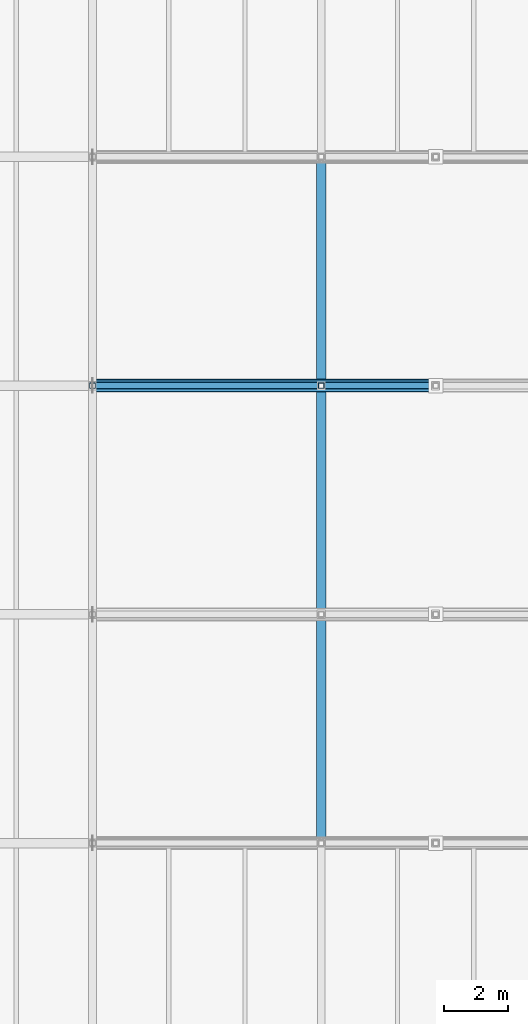
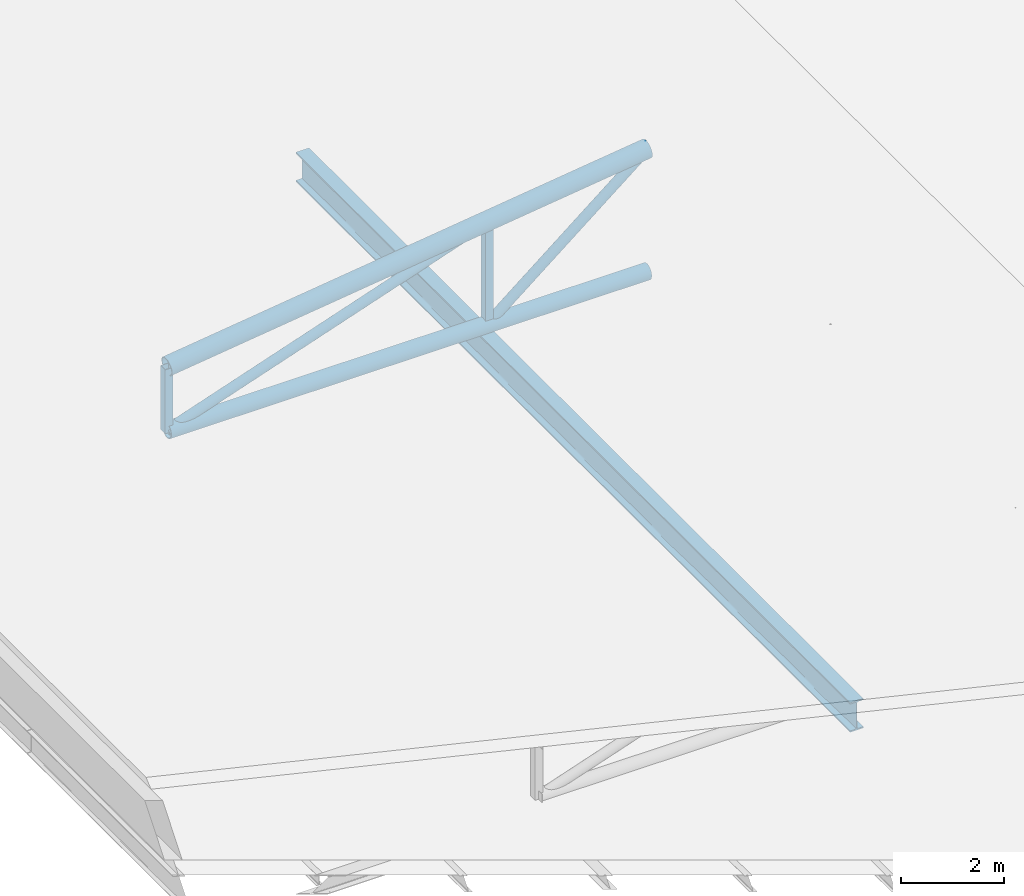
# One storey, part 32 of 91: 6 members, 1 beam.
"""IFC4 building model written with IfcOpenShell, lengths in metres."""

from ifc_helpers import new_model, si_unit, direction, frame, origin, origin_2d, place, context, subcontext, project, spatial, hollow_rectangle, hollow_circle, i_section, extrude, material, material_profile, profile_set, type_object, element, save


model = new_model("IFC4")

# Units and contexts
model_context = context("Model", 3, precision=1e-05, world=origin(), true_north=direction((0.0, 1.0)))
body_context = subcontext(model_context, "Body", "Model", "MODEL_VIEW")
ifc_project = project(units=[si_unit("LENGTHUNIT", "METRE"), si_unit("AREAUNIT", "SQUARE_METRE"), si_unit("VOLUMEUNIT", "CUBIC_METRE"), si_unit("PLANEANGLEUNIT", "RADIAN"), si_unit("MASSUNIT", "GRAM", prefix="KILO")], contexts=[model_context])

# Site, building, storey
site_placement = place(None, origin())
site = spatial("IfcSite", under=ifc_project, at=site_placement, CompositionType="ELEMENT")
building_placement = place(site_placement, origin())
building = spatial("IfcBuilding", under=site, at=building_placement, Name="Narikvali Park Central Library", CompositionType="ELEMENT")
storey_placement = place(building_placement, frame((0.0, 0.0, 14.39990234375)))
storey = spatial("IfcBuildingStorey", under=building, at=storey_placement, Name="L03", CompositionType="ELEMENT", Elevation=14.39990234375)

# Members
ifc_material = material(Name="Steel S355", Category="steel")
ifc_material_profile_1 = material_profile(ifc_material, hollow_circle(Radius=0.109619140625, WallThickness=0.012451171875, at=origin_2d()), Name="CHS 219.1x12.5")
ifc_profile_set_1 = profile_set([ifc_material_profile_1], Name="Steel S355")
member_type_1 = type_object("IfcMemberType", Name="Auditorium End Truss Web CHS219x12", PredefinedType="BRACE", material=ifc_profile_set_1)
member_1_placement = place(storey_placement, frame((129.60009765625, 100.800048828125, -0.02001953125), z_axis=(0.946684072105, 0.0, 0.322163417573), x_axis=(0.0, 1.0, 0.0)))
element("IfcMember", 1, at=member_1_placement, inside=storey, type_object=member_type_1, Name="Auditorium Truss 3 Web Diagonal 1", PredefinedType="BRACE", context=body_context, shape_type="SweptSolid", body=[
    extrude(hollow_circle(Radius=0.109619140625, WallThickness=0.012451171875, at=origin_2d()), origin(), (0.0, 0.0, 1.0), 7.60546875),
])
ifc_material_profile_2 = material_profile(ifc_material, hollow_circle(Radius=0.203125, WallThickness=0.01611328125, at=origin_2d()), Name="CHS 406.4x16")
ifc_profile_set_2 = profile_set([ifc_material_profile_2], Name="Steel S355")
member_type_2 = type_object("IfcMemberType", Name="Auditorium Top Truss Chord CHS406", PredefinedType="CHORD", material=ifc_profile_set_2)
member_2_placement = place(storey_placement, frame((129.60009765625, 100.800048828125, 1.5), z_axis=(0.991700495311, 0.0, 0.128569543824), x_axis=(0.0, 1.0, 0.0)))
element("IfcMember", 2, at=member_2_placement, inside=storey, type_object=member_type_2, Name="Auditorium Truss 3 Top Chord W", PredefinedType="CHORD", context=body_context, shape_type="SweptSolid", body=[
    extrude(hollow_circle(Radius=0.203125, WallThickness=0.01611328125, at=origin_2d()), origin(), (0.0, 0.0, 1.0), 10.89013671875),
])
ifc_material_profile_3 = material_profile(ifc_material, hollow_circle(Radius=0.177734375, WallThickness=0.01611328125, at=origin_2d()), Name="CHS 355.6x16")
ifc_profile_set_3 = profile_set([ifc_material_profile_3], Name="Steel S355")
member_type_3 = type_object("IfcMemberType", Name="Auditorium Truss Chord CHS355", PredefinedType="CHORD", material=ifc_profile_set_3)
member_3_placement = place(storey_placement, frame((129.60009765625, 100.800048828125, -0.02001953125), z_axis=(1.0, 0.0, 0.0), x_axis=(0.0, 1.0, 0.0)))
element("IfcMember", 3, at=member_3_placement, inside=storey, type_object=member_type_3, Name="Auditorium Truss 3 Bottom Chord W", PredefinedType="CHORD", context=body_context, shape_type="SweptSolid", body=[
    extrude(hollow_circle(Radius=0.177734375, WallThickness=0.01611328125, at=origin_2d()), origin(), (0.0, 0.0, 1.0), 10.7998046875),
])
ifc_material_profile_4 = material_profile(ifc_material, hollow_rectangle(XDim=0.179931640625, YDim=0.179931640625, WallThickness=0.010009765625, at=origin_2d()), Name="SHS 180x180x10")
ifc_profile_set_4 = profile_set([ifc_material_profile_4], Name="Steel S355")
member_type_4 = type_object("IfcMemberType", Name="Auditorium Truss Vertical SHS180", PredefinedType="COLLAR", material=ifc_profile_set_4)
member_4_placement = place(storey_placement, frame((129.60009765625, 100.800048828125, -0.02001953125), z_axis=(0.0, 0.0, 1.0), x_axis=(1.0, 0.0, 0.0)))
element("IfcMember", 4, at=member_4_placement, inside=storey, type_object=member_type_4, Name="Auditorium Truss 3 Vertical 1", PredefinedType="COLLAR", context=body_context, shape_type="SweptSolid", body=[
    extrude(hollow_rectangle(XDim=0.179931640625, YDim=0.179931640625, WallThickness=0.010009765625, at=origin_2d()), origin(), (0.0, 0.0, 1.0), 1.52001953125),
])
member_5_placement = place(storey_placement, frame((136.800048828125, 100.800048828125, -0.02001953125), z_axis=(0.0, 0.0, 1.0), x_axis=(1.0, 0.0, 0.0)))
element("IfcMember", 5, at=member_5_placement, inside=storey, type_object=member_type_4, Name="Auditorium Truss 3 Vertical 2", PredefinedType="COLLAR", context=body_context, shape_type="SweptSolid", body=[
    extrude(hollow_rectangle(XDim=0.179931640625, YDim=0.179931640625, WallThickness=0.010009765625, at=origin_2d()), origin(), (0.0, 0.0, 1.0), 2.4501953125),
])
ifc_material_profile_5 = material_profile(ifc_material, hollow_circle(Radius=0.109619140625, WallThickness=0.010009765625, at=origin_2d()), Name="CHS 219.1x10")
ifc_profile_set_5 = profile_set([ifc_material_profile_5], Name="Steel S355")
member_type_5 = type_object("IfcMemberType", Name="Auditorium Truss Web CHS219", PredefinedType="BRACE", material=ifc_profile_set_5)
member_6_placement = place(storey_placement, frame((136.800048828125, 100.800048828125, -0.02001953125), z_axis=(0.776611577862, 0.0, 0.629979727555), x_axis=(0.0, 1.0, 0.0)))
element("IfcMember", 6, at=member_6_placement, inside=storey, type_object=member_type_5, Name="Auditorium Truss 3 Web Diagonal 2", PredefinedType="BRACE", context=body_context, shape_type="SweptSolid", body=[
    extrude(hollow_circle(Radius=0.109619140625, WallThickness=0.010009765625, at=origin_2d()), origin(), (0.0, 0.0, 1.0), 4.63525390625),
])

# Beam
ifc_material_profile_6 = material_profile(ifc_material, i_section(OverallWidth=0.300048828125, OverallDepth=0.699951171875, WebThickness=0.01708984375, FlangeThickness=0.031982421875, FilletRadius=0.027099609375, at=origin_2d()), Name="HEB 700")
ifc_profile_set_6 = profile_set([ifc_material_profile_6], Name="Steel S355")
beam_type = type_object("IfcBeamType", Name="Long Span Girder HEB700", PredefinedType="BEAM", material=ifc_profile_set_6)
beam_placement = place(storey_placement, frame((136.800048828125, 86.407958984375, -0.58984375), z_axis=(0.0, 1.0, 0.0), x_axis=(-1.0, 0.0, 0.0)))
element("IfcBeam", 7, at=beam_placement, inside=storey, type_object=beam_type, Name="V3 L03 Girder Y", PredefinedType="BEAM", context=body_context, shape_type="SweptSolid", body=[
    extrude(i_section(OverallWidth=0.300048828125, OverallDepth=0.699951171875, WebThickness=0.01708984375, FlangeThickness=0.031982421875, FilletRadius=0.027099609375, at=origin_2d()), origin(), (0.0, 0.0, 1.0), 21.583984375),
])

save(model, "model.ifc")
